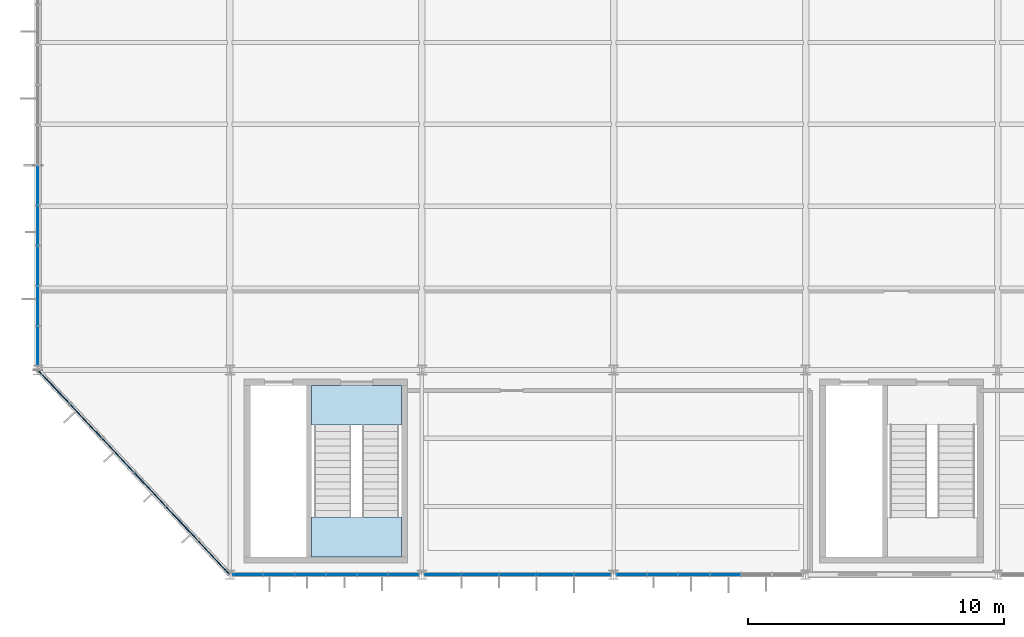
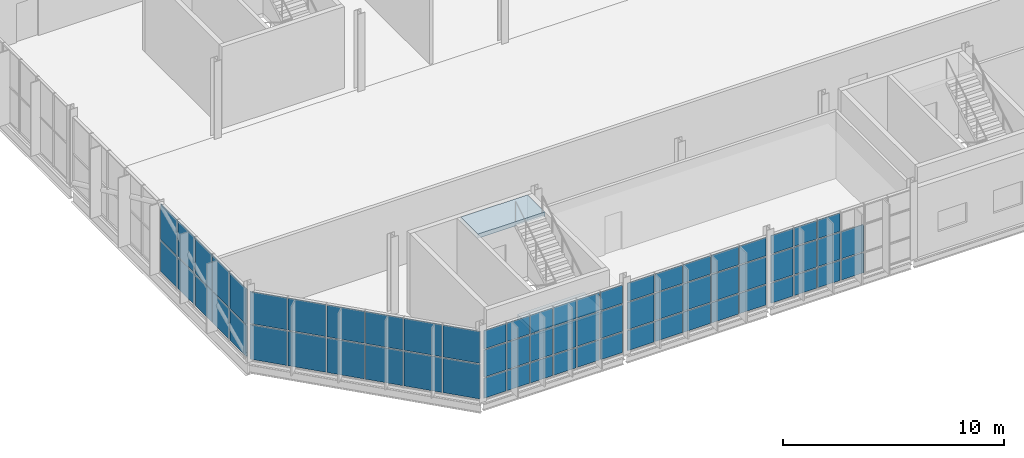
# One storey, part 265 of 324: 66 plates, 2 slabs, 6 elements without a shape of their own.
"""IFC4 building model written with IfcOpenShell, lengths in metres."""

import ifcopenshell
import ifcopenshell.guid

model = None  # the IFC model being written
_history = None  # IfcOwnerHistory: only IFC2X3 demands one
_inside = {}  # id of a spatial element -> (the spatial element, [elements in it])
_under = {}  # id of a project, library or spatial element -> (it, [spatial elements below it])
_declared = {}  # id of a project -> (the project, [libraries it declares])
_typed = {}  # id of a type object -> (the type object, [elements of that type])
_made_of = {}  # id of a material, layer set ... -> (it, [elements and type objects made of it])


def new_model(schema):
    """Start an empty IFC model of exactly this schema.

    Asked for "IFC4X3", IfcOpenShell would pick the latest addendum, in which some entities
    have other attributes; the version numbers below select the first issue.
    IFC2X3 requires an IfcOwnerHistory on every rooted entity: one is made here for all.
    """
    global model, _history
    if schema == "IFC4X3":
        model = ifcopenshell.file(schema_version=(4, 3, 0, 0))
    else:
        model = ifcopenshell.file(schema=schema)
    _inside.clear()
    _under.clear()
    _declared.clear()
    _typed.clear()
    _made_of.clear()
    _history = None
    if model.schema == "IFC2X3":
        org = make("IfcOrganization", Name="unknown")
        user = make(
            "IfcPersonAndOrganization",
            ThePerson=make("IfcPerson", FamilyName="unknown"),
            TheOrganization=org,
        )
        app = make(
            "IfcApplication",
            ApplicationDeveloper=org,
            Version="unknown",
            ApplicationFullName="unknown",
            ApplicationIdentifier="unknown",
        )
        _history = make(
            "IfcOwnerHistory",
            OwningUser=user,
            OwningApplication=app,
            ChangeAction="ADDED",
            CreationDate=0,
        )
    return model


def make(cls, **values):
    """One entity of the class cls with the attributes given. An attribute that is None is left unset."""
    return model.create_entity(
        cls, **{name: value for name, value in values.items() if value is not None}
    )


def rooted(cls, **values):
    """An entity with a GlobalId (a new one), such as an element, a storey or a relation."""
    return make(cls, GlobalId=ifcopenshell.guid.new(), OwnerHistory=_history, **values)


def si_unit(unit_type, name, prefix=None):
    """IfcSIUnit, for example si_unit("LENGTHUNIT", "METRE", prefix="MILLI")."""
    return make("IfcSIUnit", UnitType=unit_type, Prefix=prefix, Name=name)


def assignment(units):
    """IfcUnitAssignment: the units of a project."""
    return None if units is None else make("IfcUnitAssignment", Units=units)


def point(xyz):
    """IfcCartesianPoint."""
    return None if xyz is None else make("IfcCartesianPoint", Coordinates=xyz)


def direction(xyz):
    """IfcDirection."""
    return None if xyz is None else make("IfcDirection", DirectionRatios=xyz)


def frame(location, z_axis=None, x_axis=None):
    """IfcAxis2Placement3D, a coordinate frame: its origin and axes. An axis left out is left unset."""
    return make(
        "IfcAxis2Placement3D",
        Location=point(location),
        Axis=direction(z_axis),
        RefDirection=direction(x_axis),
    )


def frame_2d(location, x_axis=None):
    """IfcAxis2Placement2D, a coordinate frame in the plane: its origin and x axis."""
    return make(
        "IfcAxis2Placement2D", Location=point(location), RefDirection=direction(x_axis)
    )


def origin():
    """The frame at (0, 0, 0) with its axes left unset."""
    return frame((0.0, 0.0, 0.0))


def origin_2d():
    """The frame at (0, 0) in the plane with its x axis left unset."""
    return frame_2d((0.0, 0.0))


def place(relative_to, where):
    """IfcLocalPlacement: puts the frame where relative to a parent placement (None: the world)."""
    return make(
        "IfcLocalPlacement", PlacementRelTo=relative_to, RelativePlacement=where
    )


def context(
    kind, dimensions, precision=None, world=None, true_north=None, identifier=None
):
    """IfcGeometricRepresentationContext, for example the 3D "Model" context."""
    return make(
        "IfcGeometricRepresentationContext",
        ContextIdentifier=identifier,
        ContextType=kind,
        CoordinateSpaceDimension=dimensions,
        Precision=precision,
        WorldCoordinateSystem=world,
        TrueNorth=true_north,
    )


def subcontext(parent, identifier, kind, view, scale=None):
    """IfcGeometricRepresentationSubContext, for example "Body" below "Model"."""
    return make(
        "IfcGeometricRepresentationSubContext",
        ContextIdentifier=identifier,
        ContextType=kind,
        ParentContext=parent,
        TargetScale=scale,
        TargetView=view,
    )


def project(units=None, contexts=None):
    """IfcProject with its units and contexts."""
    return rooted(
        "IfcProject",
        Name="project",
        RepresentationContexts=contexts,
        UnitsInContext=assignment(units),
    )


def spatial(cls, under=None, at=None, **own):
    """A site, building, storey or space (cls), placed at a placement, below another one or the project."""
    s = rooted(cls, ObjectPlacement=at, **own)
    if under is not None:
        _under.setdefault(under.id(), (under, []))[1].append(s)
    return s


def polyline(points):
    """IfcPolyline through the points."""
    return make("IfcPolyline", Points=[point(p) for p in points])


def profile(cls, at=None, kind="AREA", **sizes):
    """A parametric profile (cls). Its sizes go by their IFC names, for example OverallWidth=200.0."""
    return make(cls, ProfileType=kind, Position=at, **sizes)


def rectangle(**sizes):
    """IfcRectangleProfileDef."""
    return profile("IfcRectangleProfileDef", **sizes)


def outline(outer, holes=None, kind="AREA"):
    """IfcArbitraryClosedProfileDef: a profile drawn as a closed curve; with holes, ...WithVoids."""
    if holes is None:
        return make("IfcArbitraryClosedProfileDef", ProfileType=kind, OuterCurve=outer)
    return make(
        "IfcArbitraryProfileDefWithVoids",
        ProfileType=kind,
        OuterCurve=outer,
        InnerCurves=holes,
    )


def extrude(swept, where, along, depth):
    """IfcExtrudedAreaSolid: the profile swept, set in the frame where, extruded along a direction by depth."""
    return make(
        "IfcExtrudedAreaSolid",
        SweptArea=swept,
        Position=where,
        ExtrudedDirection=direction(along),
        Depth=depth,
    )


def shape(context_of_items, identifier, shape_type, items):
    """IfcShapeRepresentation: the items that make up one representation, for example the "Body"."""
    return make(
        "IfcShapeRepresentation",
        ContextOfItems=context_of_items,
        RepresentationIdentifier=identifier,
        RepresentationType=shape_type,
        Items=items,
    )


def material(Name=None, Category=None):
    """IfcMaterial."""
    return make("IfcMaterial", Name=Name, Category=Category)


def layer(
    of_material, thickness, ventilated=None, Name=None, Category=None, Priority=None
):
    """IfcMaterialLayer: one layer of a wall or slab, of a material (None: an air gap)."""
    return make(
        "IfcMaterialLayer",
        Material=of_material,
        LayerThickness=thickness,
        IsVentilated=ventilated,
        Name=Name,
        Category=Category,
        Priority=Priority,
    )


def layer_set(layers, Name=None):
    """IfcMaterialLayerSet."""
    return make("IfcMaterialLayerSet", MaterialLayers=layers, LayerSetName=Name)


def made_of(thing, what):
    """Note that an element or type object is made of a material, layer set ...; save() writes the relation."""
    if what is not None:
        _made_of.setdefault(what.id(), (what, []))[1].append(thing)
    return thing


def type_object(cls, material=None, **own):
    """A type object (cls), such as IfcWallType, which elements share."""
    return made_of(rooted(cls, **own), material)


def element(
    cls,
    number,
    at=None,
    inside=None,
    cuts=None,
    type_object=None,
    material=None,
    context=None,
    identifier="Body",
    shape_type=None,
    held_by="IfcProductDefinitionShape",
    body=None,
    shapes=None,
    **own,
):
    """One element of the class cls, such as IfcWall. Its Tag is "e" and its number.

    at: its placement. inside: the storey or other place that contains it. cuts: it is an
    opening in that element (IfcRelVoidsElement). A single representation is given by context,
    identifier, shape_type and body (its items); several are given by shapes. held_by: the class
    of the entity that holds the representations. save() writes the other relations.
    """
    e = rooted(cls, Tag="e%d" % number, ObjectPlacement=at, **own)
    if body is not None:
        shapes = [shape(context, identifier, shape_type, body)]
    if shapes is not None:
        e.Representation = make(held_by, Representations=shapes)
    if inside is not None:
        _inside.setdefault(inside.id(), (inside, []))[1].append(e)
    if cuts is not None:
        rooted(
            "IfcRelVoidsElement", RelatingBuildingElement=cuts, RelatedOpeningElement=e
        )
    if type_object is not None:
        _typed.setdefault(type_object.id(), (type_object, []))[1].append(e)
    return made_of(e, material)


def aggregate(whole, parts):
    """IfcRelAggregates: a whole, such as a stair, and the parts it consists of."""
    return rooted("IfcRelAggregates", RelatingObject=whole, RelatedObjects=parts)


def save(model, path):
    """Write the relations noted so far, then the file.

    IfcRelAggregates (storeys below a building ...), IfcRelContainedInSpatialStructure (elements
    in a storey), IfcRelDefinesByType, IfcRelAssociatesMaterial and IfcRelDeclares: one each for
    every whole, place, type object, material and project.
    """
    for whole, parts in _under.values():
        aggregate(whole, parts)
    for where, things in _inside.values():
        rooted(
            "IfcRelContainedInSpatialStructure",
            RelatedElements=things,
            RelatingStructure=where,
        )
    for kind, things in _typed.values():
        rooted("IfcRelDefinesByType", RelatedObjects=things, RelatingType=kind)
    for what, things in _made_of.values():
        rooted("IfcRelAssociatesMaterial", RelatedObjects=things, RelatingMaterial=what)
    for by, libraries in _declared.values():
        rooted("IfcRelDeclares", RelatingContext=by, RelatedDefinitions=libraries)
    model.write(path)


model = new_model("IFC4")

# Units and contexts
model_context = context("Model", 3, precision=1e-05, world=origin(), true_north=direction((0.0, 1.0)))
body_context = subcontext(model_context, "Body", "Model", "MODEL_VIEW")
ifc_project = project(units=[si_unit("LENGTHUNIT", "METRE"), si_unit("AREAUNIT", "SQUARE_METRE"), si_unit("VOLUMEUNIT", "CUBIC_METRE"), si_unit("PLANEANGLEUNIT", "RADIAN"), si_unit("MASSUNIT", "GRAM", prefix="KILO")], contexts=[model_context])

# Site, building, storey
site_placement = place(None, origin())
site = spatial("IfcSite", under=ifc_project, at=site_placement, CompositionType="ELEMENT")
building_placement = place(site_placement, origin())
building = spatial("IfcBuilding", under=site, at=building_placement, Name="Solvenia Promenade Tram Depot", CompositionType="ELEMENT")
storey_placement = place(building_placement, frame((0.0, 0.0, 4.5)))
storey = spatial("IfcBuildingStorey", under=building, at=storey_placement, Name="L01", CompositionType="ELEMENT", Elevation=4.5)

# Curtain wall, plates
ifc_material_1 = material(Name="Anodized aluminium AW-6063 T6", Category="aluminium")
ifc_layer_1 = layer(ifc_material_1, 0.179931640625, Name="Anodized aluminium AW-6063 T6", Category="aluminium")
ifc_layer_set_1 = layer_set([ifc_layer_1], Name="Anodized aluminium AW-6063 T6")
curtain_wall_type_1 = type_object("IfcCurtainWallType", Name="CW-Prom-1800", PredefinedType="NOTDEFINED", material=ifc_layer_set_1)
curtain_wall_1_placement = place(storey_placement, origin())
curtain_wall_1 = element("IfcCurtainWall", 1, at=curtain_wall_1_placement, inside=storey, type_object=curtain_wall_type_1, Name="L01 West Park Faceted Prow Curtain Wall", PredefinedType="NOTDEFINED")
ifc_material_2 = material(Name="Double low-e argon insulated glass", Category="glass")
ifc_layer_2 = layer(ifc_material_2, 0.035888671875, Name="Double low-e argon insulated glass", Category="glass")
ifc_layer_set_2 = layer_set([ifc_layer_2], Name="Double low-e argon insulated glass")
plate_type = type_object("IfcPlateType", Name="CWP-Panel-3", PredefinedType="CURTAIN_PANEL", material=ifc_layer_set_2)
plate_1_placement = place(storey_placement, frame((0.63330078125, 7.324462890625, 0.057861328125), z_axis=(0.0, 0.0, 1.0), x_axis=(0.683941128881, -0.72953720414, 0.0)))
plate_1 = element("IfcPlate", 2, at=plate_1_placement, type_object=plate_type, Name="CW-9 panel 1.1", PredefinedType="CURTAIN_PANEL", context=body_context, shape_type="SweptSolid", body=[
    extrude(rectangle(XDim=1.755615234375, YDim=0.035888671875, at=origin_2d()), origin(), (0.0, 0.0, 1.0), 1.9130859375),
])
plate_2_placement = place(storey_placement, frame((0.63330078125, 7.324462890625, 2.02880859375), z_axis=(0.0, 0.0, 1.0), x_axis=(0.683941128881, -0.72953720414, 0.0)))
plate_2 = element("IfcPlate", 3, at=plate_2_placement, type_object=plate_type, Name="CW-9 panel 1.2", PredefinedType="CURTAIN_PANEL", context=body_context, shape_type="SweptSolid", body=[
    extrude(rectangle(XDim=1.755615234375, YDim=0.035888671875, at=origin_2d()), origin(), (0.0, 0.0, 1.0), 1.762939453125),
])
plate_3_placement = place(storey_placement, frame((1.875, 6.0, 0.057861328125), z_axis=(0.0, 0.0, 1.0), x_axis=(0.683941128881, -0.72953720414, 0.0)))
plate_3 = element("IfcPlate", 4, at=plate_3_placement, type_object=plate_type, Name="CW-9 panel 2.1", PredefinedType="CURTAIN_PANEL", context=body_context, shape_type="SweptSolid", body=[
    extrude(rectangle(XDim=1.779541015625, YDim=0.035888671875, at=origin_2d()), origin(), (0.0, 0.0, 1.0), 1.9130859375),
])
plate_4_placement = place(storey_placement, frame((1.875, 6.0, 2.02880859375), z_axis=(0.0, 0.0, 1.0), x_axis=(0.683941128881, -0.72953720414, 0.0)))
plate_4 = element("IfcPlate", 5, at=plate_4_placement, type_object=plate_type, Name="CW-9 panel 2.2", PredefinedType="CURTAIN_PANEL", context=body_context, shape_type="SweptSolid", body=[
    extrude(rectangle(XDim=1.779541015625, YDim=0.035888671875, at=origin_2d()), origin(), (0.0, 0.0, 1.0), 1.762939453125),
])
plate_5_placement = place(storey_placement, frame((3.125, 4.666748046875, 0.057861328125), z_axis=(0.0, 0.0, 1.0), x_axis=(0.683941128881, -0.72953720414, 0.0)))
plate_5 = element("IfcPlate", 6, at=plate_5_placement, type_object=plate_type, Name="CW-9 panel 3.1", PredefinedType="CURTAIN_PANEL", context=body_context, shape_type="SweptSolid", body=[
    extrude(rectangle(XDim=1.779541015625, YDim=0.035888671875, at=origin_2d()), origin(), (0.0, 0.0, 1.0), 1.9130859375),
])
plate_6_placement = place(storey_placement, frame((3.125, 4.666748046875, 2.02880859375), z_axis=(0.0, 0.0, 1.0), x_axis=(0.683941128881, -0.72953720414, 0.0)))
plate_6 = element("IfcPlate", 7, at=plate_6_placement, type_object=plate_type, Name="CW-9 panel 3.2", PredefinedType="CURTAIN_PANEL", context=body_context, shape_type="SweptSolid", body=[
    extrude(rectangle(XDim=1.779541015625, YDim=0.035888671875, at=origin_2d()), origin(), (0.0, 0.0, 1.0), 1.762939453125),
])
plate_7_placement = place(storey_placement, frame((4.375, 3.333251953125, 0.057861328125), z_axis=(0.0, 0.0, 1.0), x_axis=(0.683941128881, -0.72953720414, 0.0)))
plate_7 = element("IfcPlate", 8, at=plate_7_placement, type_object=plate_type, Name="CW-9 panel 4.1", PredefinedType="CURTAIN_PANEL", context=body_context, shape_type="SweptSolid", body=[
    extrude(rectangle(XDim=1.779541015625, YDim=0.035888671875, at=origin_2d()), origin(), (0.0, 0.0, 1.0), 1.9130859375),
])
plate_8_placement = place(storey_placement, frame((4.375, 3.333251953125, 2.02880859375), z_axis=(0.0, 0.0, 1.0), x_axis=(0.683941128881, -0.72953720414, 0.0)))
plate_8 = element("IfcPlate", 9, at=plate_8_placement, type_object=plate_type, Name="CW-9 panel 4.2", PredefinedType="CURTAIN_PANEL", context=body_context, shape_type="SweptSolid", body=[
    extrude(rectangle(XDim=1.779541015625, YDim=0.035888671875, at=origin_2d()), origin(), (0.0, 0.0, 1.0), 1.762939453125),
])
plate_9_placement = place(storey_placement, frame((5.625, 2.0, 0.057861328125), z_axis=(0.0, 0.0, 1.0), x_axis=(0.683941128881, -0.72953720414, 0.0)))
plate_9 = element("IfcPlate", 10, at=plate_9_placement, type_object=plate_type, Name="CW-9 panel 5.1", PredefinedType="CURTAIN_PANEL", context=body_context, shape_type="SweptSolid", body=[
    extrude(rectangle(XDim=1.779541015625, YDim=0.035888671875, at=origin_2d()), origin(), (0.0, 0.0, 1.0), 1.9130859375),
])
plate_10_placement = place(storey_placement, frame((5.625, 2.0, 2.02880859375), z_axis=(0.0, 0.0, 1.0), x_axis=(0.683941128881, -0.72953720414, 0.0)))
plate_10 = element("IfcPlate", 11, at=plate_10_placement, type_object=plate_type, Name="CW-9 panel 5.2", PredefinedType="CURTAIN_PANEL", context=body_context, shape_type="SweptSolid", body=[
    extrude(rectangle(XDim=1.779541015625, YDim=0.035888671875, at=origin_2d()), origin(), (0.0, 0.0, 1.0), 1.762939453125),
])
plate_11_placement = place(storey_placement, frame((6.86669921875, 0.675537109375, 0.057861328125), z_axis=(0.0, 0.0, 1.0), x_axis=(0.683941128881, -0.72953720414, 0.0)))
plate_11 = element("IfcPlate", 12, at=plate_11_placement, type_object=plate_type, Name="CW-9 panel 6.1", PredefinedType="CURTAIN_PANEL", context=body_context, shape_type="SweptSolid", body=[
    extrude(rectangle(XDim=1.755615234375, YDim=0.035888671875, at=origin_2d()), origin(), (0.0, 0.0, 1.0), 1.9130859375),
])
plate_12_placement = place(storey_placement, frame((6.86669921875, 0.675537109375, 2.02880859375), z_axis=(0.0, 0.0, 1.0), x_axis=(0.683941128881, -0.72953720414, 0.0)))
plate_12 = element("IfcPlate", 13, at=plate_12_placement, type_object=plate_type, Name="CW-9 panel 6.2", PredefinedType="CURTAIN_PANEL", context=body_context, shape_type="SweptSolid", body=[
    extrude(rectangle(XDim=1.755615234375, YDim=0.035888671875, at=origin_2d()), origin(), (0.0, 0.0, 1.0), 1.762939453125),
])
aggregate(curtain_wall_1, [plate_1, plate_2, plate_3, plate_4, plate_5, plate_6, plate_7, plate_8, plate_9, plate_10, plate_11, plate_12])

ifc_layer_3 = layer(ifc_material_1, 0.179931640625, Name="Anodized aluminium AW-6063 T6", Category="aluminium")
ifc_layer_set_3 = layer_set([ifc_layer_3], Name="Anodized aluminium AW-6063 T6")
curtain_wall_type_2 = type_object("IfcCurtainWallType", Name="CW-Solar-1250", PredefinedType="NOTDEFINED", material=ifc_layer_set_3)
curtain_wall_2_placement = place(storey_placement, origin())
curtain_wall_2 = element("IfcCurtainWall", 14, at=curtain_wall_2_placement, inside=storey, type_object=curtain_wall_type_2, Name="Curtain Wall CW-V4S-L01-01", PredefinedType="NOTDEFINED")
plate_13_placement = place(storey_placement, frame((8.20361328125, 0.0, 0.05810546875), z_axis=(0.0, 0.0, 1.0), x_axis=(1.0, 0.0, 0.0)))
plate_13 = element("IfcPlate", 15, at=plate_13_placement, type_object=plate_type, Name="CW-6 panel 1.1", PredefinedType="CURTAIN_PANEL", context=body_context, shape_type="SweptSolid", body=[
    extrude(rectangle(XDim=1.1513671875, YDim=0.035888671875, at=origin_2d()), origin(), (0.0, 0.0, 1.0), 1.113037109375),
])
plate_14_placement = place(storey_placement, frame((8.20361328125, 0.0, 1.22900390625), z_axis=(0.0, 0.0, 1.0), x_axis=(1.0, 0.0, 0.0)))
plate_14 = element("IfcPlate", 16, at=plate_14_placement, type_object=plate_type, Name="CW-6 panel 1.2", PredefinedType="CURTAIN_PANEL", context=body_context, shape_type="SweptSolid", body=[
    extrude(rectangle(XDim=1.1513671875, YDim=0.035888671875, at=origin_2d()), origin(), (0.0, 0.0, 1.0), 1.491943359375),
])
plate_15_placement = place(storey_placement, frame((8.20361328125, 0.0, 2.77880859375), z_axis=(0.0, 0.0, 1.0), x_axis=(1.0, 0.0, 0.0)))
plate_15 = element("IfcPlate", 17, at=plate_15_placement, type_object=plate_type, Name="CW-6 panel 1.3", PredefinedType="CURTAIN_PANEL", context=body_context, shape_type="SweptSolid", body=[
    extrude(rectangle(XDim=1.1513671875, YDim=0.035888671875, at=origin_2d()), origin(), (0.0, 0.0, 1.0), 1.012939453125),
])
plate_16_placement = place(storey_placement, frame((9.4150390625, 0.0, 0.05810546875), z_axis=(0.0, 0.0, 1.0), x_axis=(1.0, 0.0, 0.0)))
plate_16 = element("IfcPlate", 18, at=plate_16_placement, type_object=plate_type, Name="CW-6 panel 2.1", PredefinedType="CURTAIN_PANEL", context=body_context, shape_type="SweptSolid", body=[
    extrude(rectangle(XDim=1.17529296875, YDim=0.035888671875, at=origin_2d()), origin(), (0.0, 0.0, 1.0), 1.113037109375),
])
plate_17_placement = place(storey_placement, frame((9.4150390625, 0.0, 1.22900390625), z_axis=(0.0, 0.0, 1.0), x_axis=(1.0, 0.0, 0.0)))
plate_17 = element("IfcPlate", 19, at=plate_17_placement, type_object=plate_type, Name="CW-6 panel 2.2", PredefinedType="CURTAIN_PANEL", context=body_context, shape_type="SweptSolid", body=[
    extrude(rectangle(XDim=1.17529296875, YDim=0.035888671875, at=origin_2d()), origin(), (0.0, 0.0, 1.0), 1.491943359375),
])
plate_18_placement = place(storey_placement, frame((9.4150390625, 0.0, 2.77880859375), z_axis=(0.0, 0.0, 1.0), x_axis=(1.0, 0.0, 0.0)))
plate_18 = element("IfcPlate", 20, at=plate_18_placement, type_object=plate_type, Name="CW-6 panel 2.3", PredefinedType="CURTAIN_PANEL", context=body_context, shape_type="SweptSolid", body=[
    extrude(rectangle(XDim=1.17529296875, YDim=0.035888671875, at=origin_2d()), origin(), (0.0, 0.0, 1.0), 1.012939453125),
])
plate_19_placement = place(storey_placement, frame((10.638427734375, 0.0, 0.05810546875), z_axis=(0.0, 0.0, 1.0), x_axis=(1.0, 0.0, 0.0)))
plate_19 = element("IfcPlate", 21, at=plate_19_placement, type_object=plate_type, Name="CW-6 panel 3.1", PredefinedType="CURTAIN_PANEL", context=body_context, shape_type="SweptSolid", body=[
    extrude(rectangle(XDim=1.17529296875, YDim=0.035888671875, at=origin_2d()), origin(), (0.0, 0.0, 1.0), 1.113037109375),
])
plate_20_placement = place(storey_placement, frame((10.638427734375, 0.0, 1.22900390625), z_axis=(0.0, 0.0, 1.0), x_axis=(1.0, 0.0, 0.0)))
plate_20 = element("IfcPlate", 22, at=plate_20_placement, type_object=plate_type, Name="CW-6 panel 3.2", PredefinedType="CURTAIN_PANEL", context=body_context, shape_type="SweptSolid", body=[
    extrude(rectangle(XDim=1.17529296875, YDim=0.035888671875, at=origin_2d()), origin(), (0.0, 0.0, 1.0), 1.491943359375),
])
plate_21_placement = place(storey_placement, frame((10.638427734375, 0.0, 2.77880859375), z_axis=(0.0, 0.0, 1.0), x_axis=(1.0, 0.0, 0.0)))
plate_21 = element("IfcPlate", 23, at=plate_21_placement, type_object=plate_type, Name="CW-6 panel 3.3", PredefinedType="CURTAIN_PANEL", context=body_context, shape_type="SweptSolid", body=[
    extrude(rectangle(XDim=1.17529296875, YDim=0.035888671875, at=origin_2d()), origin(), (0.0, 0.0, 1.0), 1.012939453125),
])
plate_22_placement = place(storey_placement, frame((11.861572265625, 0.0, 0.05810546875), z_axis=(0.0, 0.0, 1.0), x_axis=(1.0, 0.0, 0.0)))
plate_22 = element("IfcPlate", 24, at=plate_22_placement, type_object=plate_type, Name="CW-6 panel 4.1", PredefinedType="CURTAIN_PANEL", context=body_context, shape_type="SweptSolid", body=[
    extrude(rectangle(XDim=1.17529296875, YDim=0.035888671875, at=origin_2d()), origin(), (0.0, 0.0, 1.0), 1.113037109375),
])
plate_23_placement = place(storey_placement, frame((11.861572265625, 0.0, 1.22900390625), z_axis=(0.0, 0.0, 1.0), x_axis=(1.0, 0.0, 0.0)))
plate_23 = element("IfcPlate", 25, at=plate_23_placement, type_object=plate_type, Name="CW-6 panel 4.2", PredefinedType="CURTAIN_PANEL", context=body_context, shape_type="SweptSolid", body=[
    extrude(rectangle(XDim=1.17529296875, YDim=0.035888671875, at=origin_2d()), origin(), (0.0, 0.0, 1.0), 1.491943359375),
])
plate_24_placement = place(storey_placement, frame((11.861572265625, 0.0, 2.77880859375), z_axis=(0.0, 0.0, 1.0), x_axis=(1.0, 0.0, 0.0)))
plate_24 = element("IfcPlate", 26, at=plate_24_placement, type_object=plate_type, Name="CW-6 panel 4.3", PredefinedType="CURTAIN_PANEL", context=body_context, shape_type="SweptSolid", body=[
    extrude(rectangle(XDim=1.17529296875, YDim=0.035888671875, at=origin_2d()), origin(), (0.0, 0.0, 1.0), 1.012939453125),
])
plate_25_placement = place(storey_placement, frame((13.0849609375, 0.0, 0.05810546875), z_axis=(0.0, 0.0, 1.0), x_axis=(1.0, 0.0, 0.0)))
plate_25 = element("IfcPlate", 27, at=plate_25_placement, type_object=plate_type, Name="CW-6 panel 5.1", PredefinedType="CURTAIN_PANEL", context=body_context, shape_type="SweptSolid", body=[
    extrude(rectangle(XDim=1.17529296875, YDim=0.035888671875, at=origin_2d()), origin(), (0.0, 0.0, 1.0), 1.113037109375),
])
plate_26_placement = place(storey_placement, frame((13.0849609375, 0.0, 1.22900390625), z_axis=(0.0, 0.0, 1.0), x_axis=(1.0, 0.0, 0.0)))
plate_26 = element("IfcPlate", 28, at=plate_26_placement, type_object=plate_type, Name="CW-6 panel 5.2", PredefinedType="CURTAIN_PANEL", context=body_context, shape_type="SweptSolid", body=[
    extrude(rectangle(XDim=1.17529296875, YDim=0.035888671875, at=origin_2d()), origin(), (0.0, 0.0, 1.0), 1.491943359375),
])
plate_27_placement = place(storey_placement, frame((13.0849609375, 0.0, 2.77880859375), z_axis=(0.0, 0.0, 1.0), x_axis=(1.0, 0.0, 0.0)))
plate_27 = element("IfcPlate", 29, at=plate_27_placement, type_object=plate_type, Name="CW-6 panel 5.3", PredefinedType="CURTAIN_PANEL", context=body_context, shape_type="SweptSolid", body=[
    extrude(rectangle(XDim=1.17529296875, YDim=0.035888671875, at=origin_2d()), origin(), (0.0, 0.0, 1.0), 1.012939453125),
])
plate_28_placement = place(storey_placement, frame((14.29638671875, 0.0, 0.05810546875), z_axis=(0.0, 0.0, 1.0), x_axis=(1.0, 0.0, 0.0)))
plate_28 = element("IfcPlate", 30, at=plate_28_placement, type_object=plate_type, Name="CW-6 panel 6.1", PredefinedType="CURTAIN_PANEL", context=body_context, shape_type="SweptSolid", body=[
    extrude(rectangle(XDim=1.1513671875, YDim=0.035888671875, at=origin_2d()), origin(), (0.0, 0.0, 1.0), 1.113037109375),
])
plate_29_placement = place(storey_placement, frame((14.29638671875, 0.0, 1.22900390625), z_axis=(0.0, 0.0, 1.0), x_axis=(1.0, 0.0, 0.0)))
plate_29 = element("IfcPlate", 31, at=plate_29_placement, type_object=plate_type, Name="CW-6 panel 6.2", PredefinedType="CURTAIN_PANEL", context=body_context, shape_type="SweptSolid", body=[
    extrude(rectangle(XDim=1.1513671875, YDim=0.035888671875, at=origin_2d()), origin(), (0.0, 0.0, 1.0), 1.491943359375),
])
plate_30_placement = place(storey_placement, frame((14.29638671875, 0.0, 2.77880859375), z_axis=(0.0, 0.0, 1.0), x_axis=(1.0, 0.0, 0.0)))
plate_30 = element("IfcPlate", 32, at=plate_30_placement, type_object=plate_type, Name="CW-6 panel 6.3", PredefinedType="CURTAIN_PANEL", context=body_context, shape_type="SweptSolid", body=[
    extrude(rectangle(XDim=1.1513671875, YDim=0.035888671875, at=origin_2d()), origin(), (0.0, 0.0, 1.0), 1.012939453125),
])
aggregate(curtain_wall_2, [plate_13, plate_14, plate_15, plate_16, plate_17, plate_18, plate_19, plate_20, plate_21, plate_22, plate_23, plate_24, plate_25, plate_26, plate_27, plate_28, plate_29, plate_30])

ifc_layer_4 = layer(ifc_material_1, 0.179931640625, Name="Anodized aluminium AW-6063 T6", Category="aluminium")
ifc_layer_set_4 = layer_set([ifc_layer_4], Name="Anodized aluminium AW-6063 T6")
curtain_wall_type_3 = type_object("IfcCurtainWallType", Name="CW-Solar-1500", PredefinedType="NOTDEFINED", material=ifc_layer_set_4)
curtain_wall_3_placement = place(storey_placement, origin())
curtain_wall_3 = element("IfcCurtainWall", 33, at=curtain_wall_3_placement, inside=storey, type_object=curtain_wall_type_3, Name="Curtain Wall CW-V4S-L01-02", PredefinedType="NOTDEFINED")
plate_31_placement = place(storey_placement, frame((15.825927734375, 0.0, 0.05810546875), z_axis=(0.0, 0.0, 1.0), x_axis=(1.0, 0.0, 0.0)))
plate_31 = element("IfcPlate", 34, at=plate_31_placement, type_object=plate_type, Name="CW-7 panel 1.1", PredefinedType="CURTAIN_PANEL", context=body_context, shape_type="SweptSolid", body=[
    extrude(rectangle(XDim=1.39599609375, YDim=0.035888671875, at=origin_2d()), origin(), (0.0, 0.0, 1.0), 1.113037109375),
])
plate_32_placement = place(storey_placement, frame((15.825927734375, 0.0, 1.22900390625), z_axis=(0.0, 0.0, 1.0), x_axis=(1.0, 0.0, 0.0)))
plate_32 = element("IfcPlate", 35, at=plate_32_placement, type_object=plate_type, Name="CW-7 panel 1.2", PredefinedType="CURTAIN_PANEL", context=body_context, shape_type="SweptSolid", body=[
    extrude(rectangle(XDim=1.39599609375, YDim=0.035888671875, at=origin_2d()), origin(), (0.0, 0.0, 1.0), 1.491943359375),
])
plate_33_placement = place(storey_placement, frame((15.825927734375, 0.0, 2.77880859375), z_axis=(0.0, 0.0, 1.0), x_axis=(1.0, 0.0, 0.0)))
plate_33 = element("IfcPlate", 36, at=plate_33_placement, type_object=plate_type, Name="CW-7 panel 1.3", PredefinedType="CURTAIN_PANEL", context=body_context, shape_type="SweptSolid", body=[
    extrude(rectangle(XDim=1.39599609375, YDim=0.035888671875, at=origin_2d()), origin(), (0.0, 0.0, 1.0), 1.012939453125),
])
plate_34_placement = place(storey_placement, frame((17.281982421875, 0.0, 0.05810546875), z_axis=(0.0, 0.0, 1.0), x_axis=(1.0, 0.0, 0.0)))
plate_34 = element("IfcPlate", 37, at=plate_34_placement, type_object=plate_type, Name="CW-7 panel 2.1", PredefinedType="CURTAIN_PANEL", context=body_context, shape_type="SweptSolid", body=[
    extrude(rectangle(XDim=1.419921875, YDim=0.035888671875, at=origin_2d()), origin(), (0.0, 0.0, 1.0), 1.113037109375),
])
plate_35_placement = place(storey_placement, frame((17.281982421875, 0.0, 1.22900390625), z_axis=(0.0, 0.0, 1.0), x_axis=(1.0, 0.0, 0.0)))
plate_35 = element("IfcPlate", 38, at=plate_35_placement, type_object=plate_type, Name="CW-7 panel 2.2", PredefinedType="CURTAIN_PANEL", context=body_context, shape_type="SweptSolid", body=[
    extrude(rectangle(XDim=1.419921875, YDim=0.035888671875, at=origin_2d()), origin(), (0.0, 0.0, 1.0), 1.491943359375),
])
plate_36_placement = place(storey_placement, frame((17.281982421875, 0.0, 2.77880859375), z_axis=(0.0, 0.0, 1.0), x_axis=(1.0, 0.0, 0.0)))
plate_36 = element("IfcPlate", 39, at=plate_36_placement, type_object=plate_type, Name="CW-7 panel 2.3", PredefinedType="CURTAIN_PANEL", context=body_context, shape_type="SweptSolid", body=[
    extrude(rectangle(XDim=1.419921875, YDim=0.035888671875, at=origin_2d()), origin(), (0.0, 0.0, 1.0), 1.012939453125),
])
plate_37_placement = place(storey_placement, frame((18.75, 0.0, 0.05810546875), z_axis=(0.0, 0.0, 1.0), x_axis=(1.0, 0.0, 0.0)))
plate_37 = element("IfcPlate", 40, at=plate_37_placement, type_object=plate_type, Name="CW-7 panel 3.1", PredefinedType="CURTAIN_PANEL", context=body_context, shape_type="SweptSolid", body=[
    extrude(rectangle(XDim=1.419921875, YDim=0.035888671875, at=origin_2d()), origin(), (0.0, 0.0, 1.0), 1.113037109375),
])
plate_38_placement = place(storey_placement, frame((18.75, 0.0, 1.22900390625), z_axis=(0.0, 0.0, 1.0), x_axis=(1.0, 0.0, 0.0)))
plate_38 = element("IfcPlate", 41, at=plate_38_placement, type_object=plate_type, Name="CW-7 panel 3.2", PredefinedType="CURTAIN_PANEL", context=body_context, shape_type="SweptSolid", body=[
    extrude(rectangle(XDim=1.419921875, YDim=0.035888671875, at=origin_2d()), origin(), (0.0, 0.0, 1.0), 1.491943359375),
])
plate_39_placement = place(storey_placement, frame((18.75, 0.0, 2.77880859375), z_axis=(0.0, 0.0, 1.0), x_axis=(1.0, 0.0, 0.0)))
plate_39 = element("IfcPlate", 42, at=plate_39_placement, type_object=plate_type, Name="CW-7 panel 3.3", PredefinedType="CURTAIN_PANEL", context=body_context, shape_type="SweptSolid", body=[
    extrude(rectangle(XDim=1.419921875, YDim=0.035888671875, at=origin_2d()), origin(), (0.0, 0.0, 1.0), 1.012939453125),
])
plate_40_placement = place(storey_placement, frame((20.218017578125, 0.0, 0.05810546875), z_axis=(0.0, 0.0, 1.0), x_axis=(1.0, 0.0, 0.0)))
plate_40 = element("IfcPlate", 43, at=plate_40_placement, type_object=plate_type, Name="CW-7 panel 4.1", PredefinedType="CURTAIN_PANEL", context=body_context, shape_type="SweptSolid", body=[
    extrude(rectangle(XDim=1.419921875, YDim=0.035888671875, at=origin_2d()), origin(), (0.0, 0.0, 1.0), 1.113037109375),
])
plate_41_placement = place(storey_placement, frame((20.218017578125, 0.0, 1.22900390625), z_axis=(0.0, 0.0, 1.0), x_axis=(1.0, 0.0, 0.0)))
plate_41 = element("IfcPlate", 44, at=plate_41_placement, type_object=plate_type, Name="CW-7 panel 4.2", PredefinedType="CURTAIN_PANEL", context=body_context, shape_type="SweptSolid", body=[
    extrude(rectangle(XDim=1.419921875, YDim=0.035888671875, at=origin_2d()), origin(), (0.0, 0.0, 1.0), 1.491943359375),
])
plate_42_placement = place(storey_placement, frame((20.218017578125, 0.0, 2.77880859375), z_axis=(0.0, 0.0, 1.0), x_axis=(1.0, 0.0, 0.0)))
plate_42 = element("IfcPlate", 45, at=plate_42_placement, type_object=plate_type, Name="CW-7 panel 4.3", PredefinedType="CURTAIN_PANEL", context=body_context, shape_type="SweptSolid", body=[
    extrude(rectangle(XDim=1.419921875, YDim=0.035888671875, at=origin_2d()), origin(), (0.0, 0.0, 1.0), 1.012939453125),
])
plate_43_placement = place(storey_placement, frame((21.674072265625, 0.0, 0.05810546875), z_axis=(0.0, 0.0, 1.0), x_axis=(1.0, 0.0, 0.0)))
plate_43 = element("IfcPlate", 46, at=plate_43_placement, type_object=plate_type, Name="CW-7 panel 5.1", PredefinedType="CURTAIN_PANEL", context=body_context, shape_type="SweptSolid", body=[
    extrude(rectangle(XDim=1.39599609375, YDim=0.035888671875, at=origin_2d()), origin(), (0.0, 0.0, 1.0), 1.113037109375),
])
plate_44_placement = place(storey_placement, frame((21.674072265625, 0.0, 1.22900390625), z_axis=(0.0, 0.0, 1.0), x_axis=(1.0, 0.0, 0.0)))
plate_44 = element("IfcPlate", 47, at=plate_44_placement, type_object=plate_type, Name="CW-7 panel 5.2", PredefinedType="CURTAIN_PANEL", context=body_context, shape_type="SweptSolid", body=[
    extrude(rectangle(XDim=1.39599609375, YDim=0.035888671875, at=origin_2d()), origin(), (0.0, 0.0, 1.0), 1.491943359375),
])
plate_45_placement = place(storey_placement, frame((21.674072265625, 0.0, 2.77880859375), z_axis=(0.0, 0.0, 1.0), x_axis=(1.0, 0.0, 0.0)))
plate_45 = element("IfcPlate", 48, at=plate_45_placement, type_object=plate_type, Name="CW-7 panel 5.3", PredefinedType="CURTAIN_PANEL", context=body_context, shape_type="SweptSolid", body=[
    extrude(rectangle(XDim=1.39599609375, YDim=0.035888671875, at=origin_2d()), origin(), (0.0, 0.0, 1.0), 1.012939453125),
])
aggregate(curtain_wall_3, [plate_31, plate_32, plate_33, plate_34, plate_35, plate_36, plate_37, plate_38, plate_39, plate_40, plate_41, plate_42, plate_43, plate_44, plate_45])

curtain_wall_4_placement = place(storey_placement, origin())
curtain_wall_4 = element("IfcCurtainWall", 49, at=curtain_wall_4_placement, inside=storey, type_object=curtain_wall_type_2, Name="Curtain Wall CW-V4S-L01-03", PredefinedType="NOTDEFINED")
plate_46_placement = place(storey_placement, frame((23.20361328125, 0.0, 0.05810546875), z_axis=(0.0, 0.0, 1.0), x_axis=(1.0, 0.0, 0.0)))
plate_46 = element("IfcPlate", 50, at=plate_46_placement, type_object=plate_type, Name="CW-6 panel 1.1", PredefinedType="CURTAIN_PANEL", context=body_context, shape_type="SweptSolid", body=[
    extrude(rectangle(XDim=1.1513671875, YDim=0.035888671875, at=origin_2d()), origin(), (0.0, 0.0, 1.0), 1.113037109375),
])
plate_47_placement = place(storey_placement, frame((23.20361328125, 0.0, 1.22900390625), z_axis=(0.0, 0.0, 1.0), x_axis=(1.0, 0.0, 0.0)))
plate_47 = element("IfcPlate", 51, at=plate_47_placement, type_object=plate_type, Name="CW-6 panel 1.2", PredefinedType="CURTAIN_PANEL", context=body_context, shape_type="SweptSolid", body=[
    extrude(rectangle(XDim=1.1513671875, YDim=0.035888671875, at=origin_2d()), origin(), (0.0, 0.0, 1.0), 1.491943359375),
])
plate_48_placement = place(storey_placement, frame((23.20361328125, 0.0, 2.77880859375), z_axis=(0.0, 0.0, 1.0), x_axis=(1.0, 0.0, 0.0)))
plate_48 = element("IfcPlate", 52, at=plate_48_placement, type_object=plate_type, Name="CW-6 panel 1.3", PredefinedType="CURTAIN_PANEL", context=body_context, shape_type="SweptSolid", body=[
    extrude(rectangle(XDim=1.1513671875, YDim=0.035888671875, at=origin_2d()), origin(), (0.0, 0.0, 1.0), 1.012939453125),
])
plate_49_placement = place(storey_placement, frame((24.4150390625, 0.0, 0.05810546875), z_axis=(0.0, 0.0, 1.0), x_axis=(1.0, 0.0, 0.0)))
plate_49 = element("IfcPlate", 53, at=plate_49_placement, type_object=plate_type, Name="CW-6 panel 2.1", PredefinedType="CURTAIN_PANEL", context=body_context, shape_type="SweptSolid", body=[
    extrude(rectangle(XDim=1.17529296875, YDim=0.035888671875, at=origin_2d()), origin(), (0.0, 0.0, 1.0), 1.113037109375),
])
plate_50_placement = place(storey_placement, frame((24.4150390625, 0.0, 1.22900390625), z_axis=(0.0, 0.0, 1.0), x_axis=(1.0, 0.0, 0.0)))
plate_50 = element("IfcPlate", 54, at=plate_50_placement, type_object=plate_type, Name="CW-6 panel 2.2", PredefinedType="CURTAIN_PANEL", context=body_context, shape_type="SweptSolid", body=[
    extrude(rectangle(XDim=1.17529296875, YDim=0.035888671875, at=origin_2d()), origin(), (0.0, 0.0, 1.0), 1.491943359375),
])
plate_51_placement = place(storey_placement, frame((24.4150390625, 0.0, 2.77880859375), z_axis=(0.0, 0.0, 1.0), x_axis=(1.0, 0.0, 0.0)))
plate_51 = element("IfcPlate", 55, at=plate_51_placement, type_object=plate_type, Name="CW-6 panel 2.3", PredefinedType="CURTAIN_PANEL", context=body_context, shape_type="SweptSolid", body=[
    extrude(rectangle(XDim=1.17529296875, YDim=0.035888671875, at=origin_2d()), origin(), (0.0, 0.0, 1.0), 1.012939453125),
])
plate_52_placement = place(storey_placement, frame((25.638427734375, 0.0, 0.05810546875), z_axis=(0.0, 0.0, 1.0), x_axis=(1.0, 0.0, 0.0)))
plate_52 = element("IfcPlate", 56, at=plate_52_placement, type_object=plate_type, Name="CW-6 panel 3.1", PredefinedType="CURTAIN_PANEL", context=body_context, shape_type="SweptSolid", body=[
    extrude(rectangle(XDim=1.17529296875, YDim=0.035888671875, at=origin_2d()), origin(), (0.0, 0.0, 1.0), 1.113037109375),
])
plate_53_placement = place(storey_placement, frame((25.638427734375, 0.0, 1.22900390625), z_axis=(0.0, 0.0, 1.0), x_axis=(1.0, 0.0, 0.0)))
plate_53 = element("IfcPlate", 57, at=plate_53_placement, type_object=plate_type, Name="CW-6 panel 3.2", PredefinedType="CURTAIN_PANEL", context=body_context, shape_type="SweptSolid", body=[
    extrude(rectangle(XDim=1.17529296875, YDim=0.035888671875, at=origin_2d()), origin(), (0.0, 0.0, 1.0), 1.491943359375),
])
plate_54_placement = place(storey_placement, frame((25.638427734375, 0.0, 2.77880859375), z_axis=(0.0, 0.0, 1.0), x_axis=(1.0, 0.0, 0.0)))
plate_54 = element("IfcPlate", 58, at=plate_54_placement, type_object=plate_type, Name="CW-6 panel 3.3", PredefinedType="CURTAIN_PANEL", context=body_context, shape_type="SweptSolid", body=[
    extrude(rectangle(XDim=1.17529296875, YDim=0.035888671875, at=origin_2d()), origin(), (0.0, 0.0, 1.0), 1.012939453125),
])
plate_55_placement = place(storey_placement, frame((26.861572265625, 0.0, 0.05810546875), z_axis=(0.0, 0.0, 1.0), x_axis=(1.0, 0.0, 0.0)))
plate_55 = element("IfcPlate", 59, at=plate_55_placement, type_object=plate_type, Name="CW-6 panel 4.1", PredefinedType="CURTAIN_PANEL", context=body_context, shape_type="SweptSolid", body=[
    extrude(rectangle(XDim=1.17529296875, YDim=0.035888671875, at=origin_2d()), origin(), (0.0, 0.0, 1.0), 1.113037109375),
])
plate_56_placement = place(storey_placement, frame((26.861572265625, 0.0, 1.22900390625), z_axis=(0.0, 0.0, 1.0), x_axis=(1.0, 0.0, 0.0)))
plate_56 = element("IfcPlate", 60, at=plate_56_placement, type_object=plate_type, Name="CW-6 panel 4.2", PredefinedType="CURTAIN_PANEL", context=body_context, shape_type="SweptSolid", body=[
    extrude(rectangle(XDim=1.17529296875, YDim=0.035888671875, at=origin_2d()), origin(), (0.0, 0.0, 1.0), 1.491943359375),
])
aggregate(curtain_wall_4, [plate_46, plate_47, plate_48, plate_49, plate_50, plate_51, plate_52, plate_53, plate_54, plate_55, plate_56])

curtain_wall_5_placement = place(storey_placement, origin())
curtain_wall_5 = element("IfcCurtainWall", 61, at=curtain_wall_5_placement, inside=storey, type_object=curtain_wall_type_3, Name="Curtain Wall CW-V4W-L01", PredefinedType="NOTDEFINED")
plate_57_placement = place(storey_placement, frame((0.0, 8.947021484375, 0.05810546875), z_axis=(0.0, 0.0, 1.0), x_axis=(0.0, 1.0, 0.0)))
plate_57 = element("IfcPlate", 62, at=plate_57_placement, type_object=plate_type, Name="CW-7 panel 1.1", PredefinedType="CURTAIN_PANEL", context=body_context, shape_type="SweptSolid", body=[
    extrude(rectangle(XDim=1.498046875, YDim=0.035888671875, at=origin_2d()), origin(), (0.0, 0.0, 1.0), 1.712890625),
])
plate_58_placement = place(storey_placement, frame((0.0, 8.947021484375, 1.8291015625), z_axis=(0.0, 0.0, 1.0), x_axis=(0.0, 1.0, 0.0)))
plate_58 = element("IfcPlate", 63, at=plate_58_placement, type_object=plate_type, Name="CW-7 panel 1.2", PredefinedType="CURTAIN_PANEL", context=body_context, shape_type="SweptSolid", body=[
    extrude(rectangle(XDim=1.498046875, YDim=0.035888671875, at=origin_2d()), origin(), (0.0, 0.0, 1.0), 1.962890625),
])
plate_59_placement = place(storey_placement, frame((0.0, 10.5048828125, 0.05810546875), z_axis=(0.0, 0.0, 1.0), x_axis=(0.0, 1.0, 0.0)))
plate_59 = element("IfcPlate", 64, at=plate_59_placement, type_object=plate_type, Name="CW-7 panel 2.1", PredefinedType="CURTAIN_PANEL", context=body_context, shape_type="SweptSolid", body=[
    extrude(rectangle(XDim=1.52197265625, YDim=0.035888671875, at=origin_2d()), origin(), (0.0, 0.0, 1.0), 1.712890625),
])
plate_60_placement = place(storey_placement, frame((0.0, 10.5048828125, 1.8291015625), z_axis=(0.0, 0.0, 1.0), x_axis=(0.0, 1.0, 0.0)))
plate_60 = element("IfcPlate", 65, at=plate_60_placement, type_object=plate_type, Name="CW-7 panel 2.2", PredefinedType="CURTAIN_PANEL", context=body_context, shape_type="SweptSolid", body=[
    extrude(rectangle(XDim=1.52197265625, YDim=0.035888671875, at=origin_2d()), origin(), (0.0, 0.0, 1.0), 1.962890625),
])
plate_61_placement = place(storey_placement, frame((0.0, 12.074951171875, 0.05810546875), z_axis=(0.0, 0.0, 1.0), x_axis=(0.0, 1.0, 0.0)))
plate_61 = element("IfcPlate", 66, at=plate_61_placement, type_object=plate_type, Name="CW-7 panel 3.1", PredefinedType="CURTAIN_PANEL", context=body_context, shape_type="SweptSolid", body=[
    extrude(rectangle(XDim=1.52197265625, YDim=0.035888671875, at=origin_2d()), origin(), (0.0, 0.0, 1.0), 1.712890625),
])
plate_62_placement = place(storey_placement, frame((0.0, 12.074951171875, 1.8291015625), z_axis=(0.0, 0.0, 1.0), x_axis=(0.0, 1.0, 0.0)))
plate_62 = element("IfcPlate", 67, at=plate_62_placement, type_object=plate_type, Name="CW-7 panel 3.2", PredefinedType="CURTAIN_PANEL", context=body_context, shape_type="SweptSolid", body=[
    extrude(rectangle(XDim=1.52197265625, YDim=0.035888671875, at=origin_2d()), origin(), (0.0, 0.0, 1.0), 1.962890625),
])
plate_63_placement = place(storey_placement, frame((0.0, 13.64501953125, 0.05810546875), z_axis=(0.0, 0.0, 1.0), x_axis=(0.0, 1.0, 0.0)))
plate_63 = element("IfcPlate", 68, at=plate_63_placement, type_object=plate_type, Name="CW-7 panel 4.1", PredefinedType="CURTAIN_PANEL", context=body_context, shape_type="SweptSolid", body=[
    extrude(rectangle(XDim=1.52197265625, YDim=0.035888671875, at=origin_2d()), origin(), (0.0, 0.0, 1.0), 1.712890625),
])
plate_64_placement = place(storey_placement, frame((0.0, 13.64501953125, 1.8291015625), z_axis=(0.0, 0.0, 1.0), x_axis=(0.0, 1.0, 0.0)))
plate_64 = element("IfcPlate", 69, at=plate_64_placement, type_object=plate_type, Name="CW-7 panel 4.2", PredefinedType="CURTAIN_PANEL", context=body_context, shape_type="SweptSolid", body=[
    extrude(rectangle(XDim=1.52197265625, YDim=0.035888671875, at=origin_2d()), origin(), (0.0, 0.0, 1.0), 1.962890625),
])
plate_65_placement = place(storey_placement, frame((0.0, 15.215087890625, 0.05810546875), z_axis=(0.0, 0.0, 1.0), x_axis=(0.0, 1.0, 0.0)))
plate_65 = element("IfcPlate", 70, at=plate_65_placement, type_object=plate_type, Name="CW-7 panel 5.1", PredefinedType="CURTAIN_PANEL", context=body_context, shape_type="SweptSolid", body=[
    extrude(rectangle(XDim=1.52197265625, YDim=0.035888671875, at=origin_2d()), origin(), (0.0, 0.0, 1.0), 1.712890625),
])
plate_66_placement = place(storey_placement, frame((0.0, 15.215087890625, 1.8291015625), z_axis=(0.0, 0.0, 1.0), x_axis=(0.0, 1.0, 0.0)))
plate_66 = element("IfcPlate", 71, at=plate_66_placement, type_object=plate_type, Name="CW-7 panel 5.2", PredefinedType="CURTAIN_PANEL", context=body_context, shape_type="SweptSolid", body=[
    extrude(rectangle(XDim=1.52197265625, YDim=0.035888671875, at=origin_2d()), origin(), (0.0, 0.0, 1.0), 1.962890625),
])
aggregate(curtain_wall_5, [plate_57, plate_58, plate_59, plate_60, plate_61, plate_62, plate_63, plate_64, plate_65, plate_66])

# Stair, slabs
ifc_material_3 = material(Name="Concrete C28/35", Category="concrete")
stair_type = type_object("IfcStairType", Name="Stair-Core-1460", PredefinedType="TWO_STRAIGHT_RUN_STAIR", material=ifc_material_3)
stair_placement = place(storey_placement, origin())
stair = element("IfcStair", 72, at=stair_placement, inside=storey, type_object=stair_type, Name="Enclosed Exit Stair ST-01-L01", PredefinedType="TWO_STRAIGHT_RUN_STAIR")
ifc_layer_5 = layer(ifc_material_3, 0.235107421875, Name="Concrete C28/35", Category="concrete")
ifc_layer_set_5 = layer_set([ifc_layer_5], Name="Concrete C28/35")
slab_type = type_object("IfcSlabType", Name="Slab-Landing-235", PredefinedType="LANDING", material=ifc_layer_set_5)
slab_1_placement = place(storey_placement, frame((0.0, 0.0, 2.014892578125)))
slab_1 = element("IfcSlab", 73, at=slab_1_placement, type_object=slab_type, Name="ST-01-L01 landing 1", PredefinedType="LANDING", context=body_context, shape_type="SweptSolid", body=[
    extrude(outline(polyline([(10.699951171875, 0.699951171875), (14.199951171875, 0.699951171875), (14.199951171875, 2.260009765625), (10.699951171875, 2.260009765625), (10.699951171875, 0.699951171875)])), origin(), (0.0, 0.0, 1.0), 0.235107421875),
])
slab_2_placement = place(storey_placement, frame((0.0, 0.0, 4.264892578125)))
slab_2 = element("IfcSlab", 74, at=slab_2_placement, type_object=slab_type, Name="ST-01-L01 landing 2", PredefinedType="LANDING", context=body_context, shape_type="SweptSolid", body=[
    extrude(outline(polyline([(10.699951171875, 5.840087890625), (14.199951171875, 5.840087890625), (14.199951171875, 7.39990234375), (10.699951171875, 7.39990234375), (10.699951171875, 5.840087890625)])), origin(), (0.0, 0.0, 1.0), 0.235107421875),
])
aggregate(stair, [slab_1, slab_2])

save(model, "model.ifc")
